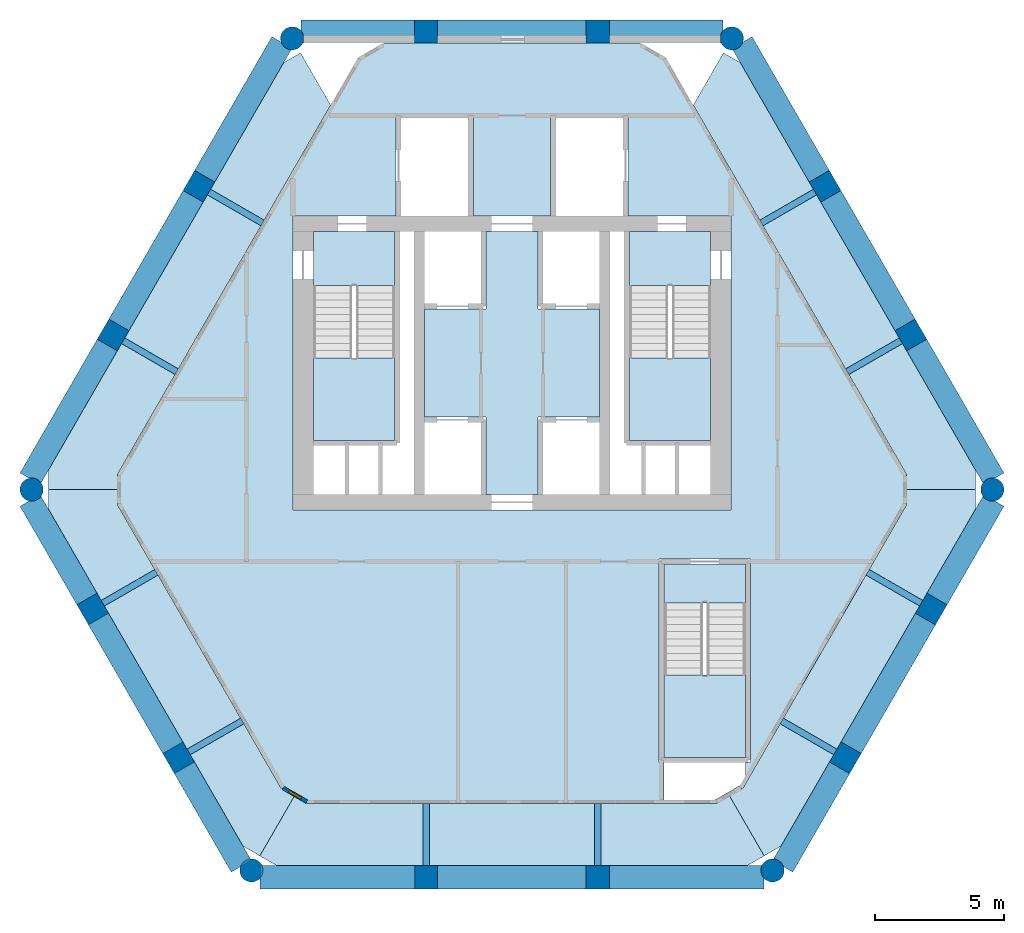
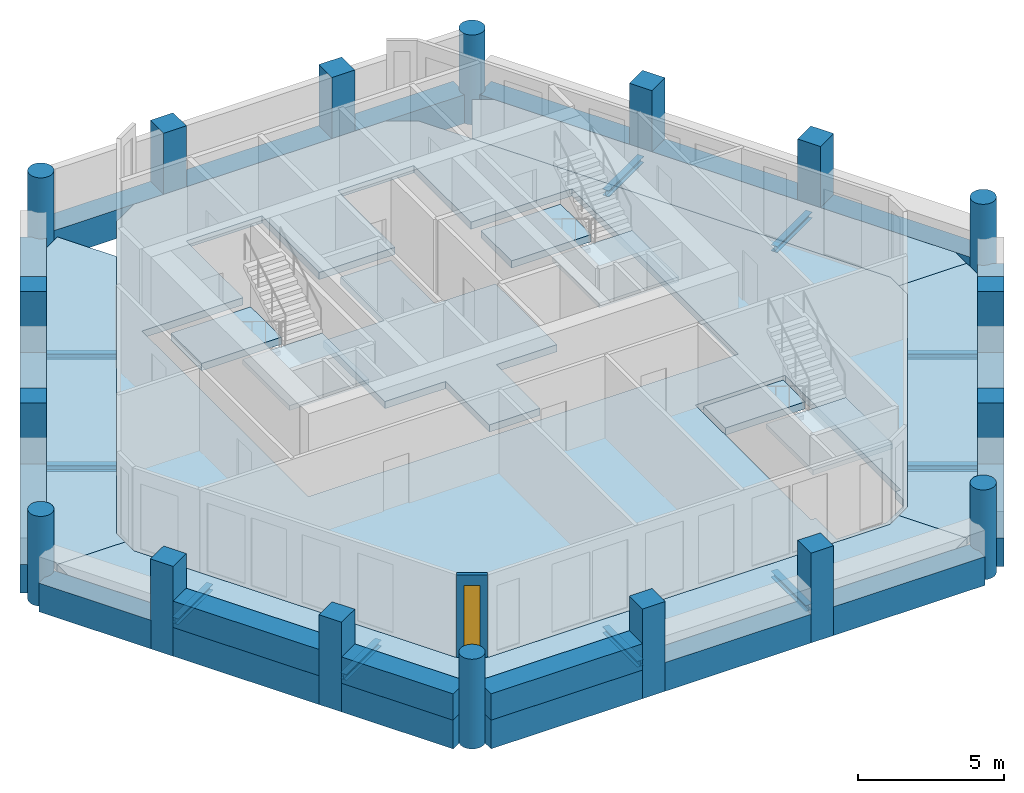
# One storey, part 1 of 6: 28 beams, 18 columns, 13 slabs, 4 walls, 1 window, 1 opening, 3 elements without a shape of their own.
"""IFC4 building model written with IfcOpenShell, lengths in metres."""

import ifcopenshell
import ifcopenshell.guid

model = None  # the IFC model being written
_history = None  # IfcOwnerHistory: only IFC2X3 demands one
_inside = {}  # id of a spatial element -> (the spatial element, [elements in it])
_under = {}  # id of a project, library or spatial element -> (it, [spatial elements below it])
_declared = {}  # id of a project -> (the project, [libraries it declares])
_typed = {}  # id of a type object -> (the type object, [elements of that type])
_made_of = {}  # id of a material, layer set ... -> (it, [elements and type objects made of it])


def new_model(schema):
    """Start an empty IFC model of exactly this schema.

    Asked for "IFC4X3", IfcOpenShell would pick the latest addendum, in which some entities
    have other attributes; the version numbers below select the first issue.
    IFC2X3 requires an IfcOwnerHistory on every rooted entity: one is made here for all.
    """
    global model, _history
    if schema == "IFC4X3":
        model = ifcopenshell.file(schema_version=(4, 3, 0, 0))
    else:
        model = ifcopenshell.file(schema=schema)
    _inside.clear()
    _under.clear()
    _declared.clear()
    _typed.clear()
    _made_of.clear()
    _history = None
    if model.schema == "IFC2X3":
        org = make("IfcOrganization", Name="unknown")
        user = make(
            "IfcPersonAndOrganization",
            ThePerson=make("IfcPerson", FamilyName="unknown"),
            TheOrganization=org,
        )
        app = make(
            "IfcApplication",
            ApplicationDeveloper=org,
            Version="unknown",
            ApplicationFullName="unknown",
            ApplicationIdentifier="unknown",
        )
        _history = make(
            "IfcOwnerHistory",
            OwningUser=user,
            OwningApplication=app,
            ChangeAction="ADDED",
            CreationDate=0,
        )
    return model


def make(cls, **values):
    """One entity of the class cls with the attributes given. An attribute that is None is left unset."""
    return model.create_entity(
        cls, **{name: value for name, value in values.items() if value is not None}
    )


def rooted(cls, **values):
    """An entity with a GlobalId (a new one), such as an element, a storey or a relation."""
    return make(cls, GlobalId=ifcopenshell.guid.new(), OwnerHistory=_history, **values)


def si_unit(unit_type, name, prefix=None):
    """IfcSIUnit, for example si_unit("LENGTHUNIT", "METRE", prefix="MILLI")."""
    return make("IfcSIUnit", UnitType=unit_type, Prefix=prefix, Name=name)


def assignment(units):
    """IfcUnitAssignment: the units of a project."""
    return None if units is None else make("IfcUnitAssignment", Units=units)


def point(xyz):
    """IfcCartesianPoint."""
    return None if xyz is None else make("IfcCartesianPoint", Coordinates=xyz)


def direction(xyz):
    """IfcDirection."""
    return None if xyz is None else make("IfcDirection", DirectionRatios=xyz)


def frame(location, z_axis=None, x_axis=None):
    """IfcAxis2Placement3D, a coordinate frame: its origin and axes. An axis left out is left unset."""
    return make(
        "IfcAxis2Placement3D",
        Location=point(location),
        Axis=direction(z_axis),
        RefDirection=direction(x_axis),
    )


def frame_2d(location, x_axis=None):
    """IfcAxis2Placement2D, a coordinate frame in the plane: its origin and x axis."""
    return make(
        "IfcAxis2Placement2D", Location=point(location), RefDirection=direction(x_axis)
    )


def origin():
    """The frame at (0, 0, 0) with its axes left unset."""
    return frame((0.0, 0.0, 0.0))


def origin_2d():
    """The frame at (0, 0) in the plane with its x axis left unset."""
    return frame_2d((0.0, 0.0))


def place(relative_to, where):
    """IfcLocalPlacement: puts the frame where relative to a parent placement (None: the world)."""
    return make(
        "IfcLocalPlacement", PlacementRelTo=relative_to, RelativePlacement=where
    )


def context(
    kind, dimensions, precision=None, world=None, true_north=None, identifier=None
):
    """IfcGeometricRepresentationContext, for example the 3D "Model" context."""
    return make(
        "IfcGeometricRepresentationContext",
        ContextIdentifier=identifier,
        ContextType=kind,
        CoordinateSpaceDimension=dimensions,
        Precision=precision,
        WorldCoordinateSystem=world,
        TrueNorth=true_north,
    )


def subcontext(parent, identifier, kind, view, scale=None):
    """IfcGeometricRepresentationSubContext, for example "Body" below "Model"."""
    return make(
        "IfcGeometricRepresentationSubContext",
        ContextIdentifier=identifier,
        ContextType=kind,
        ParentContext=parent,
        TargetScale=scale,
        TargetView=view,
    )


def project(units=None, contexts=None):
    """IfcProject with its units and contexts."""
    return rooted(
        "IfcProject",
        Name="project",
        RepresentationContexts=contexts,
        UnitsInContext=assignment(units),
    )


def spatial(cls, under=None, at=None, **own):
    """A site, building, storey or space (cls), placed at a placement, below another one or the project."""
    s = rooted(cls, ObjectPlacement=at, **own)
    if under is not None:
        _under.setdefault(under.id(), (under, []))[1].append(s)
    return s


def polyline(points):
    """IfcPolyline through the points."""
    return make("IfcPolyline", Points=[point(p) for p in points])


def profile(cls, at=None, kind="AREA", **sizes):
    """A parametric profile (cls). Its sizes go by their IFC names, for example OverallWidth=200.0."""
    return make(cls, ProfileType=kind, Position=at, **sizes)


def rectangle(**sizes):
    """IfcRectangleProfileDef."""
    return profile("IfcRectangleProfileDef", **sizes)


def circle(**sizes):
    """IfcCircleProfileDef."""
    return profile("IfcCircleProfileDef", **sizes)


def i_section(**sizes):
    """IfcIShapeProfileDef."""
    return profile("IfcIShapeProfileDef", **sizes)


def outline(outer, holes=None, kind="AREA"):
    """IfcArbitraryClosedProfileDef: a profile drawn as a closed curve; with holes, ...WithVoids."""
    if holes is None:
        return make("IfcArbitraryClosedProfileDef", ProfileType=kind, OuterCurve=outer)
    return make(
        "IfcArbitraryProfileDefWithVoids",
        ProfileType=kind,
        OuterCurve=outer,
        InnerCurves=holes,
    )


def extrude(swept, where, along, depth):
    """IfcExtrudedAreaSolid: the profile swept, set in the frame where, extruded along a direction by depth."""
    return make(
        "IfcExtrudedAreaSolid",
        SweptArea=swept,
        Position=where,
        ExtrudedDirection=direction(along),
        Depth=depth,
    )


def shape(context_of_items, identifier, shape_type, items):
    """IfcShapeRepresentation: the items that make up one representation, for example the "Body"."""
    return make(
        "IfcShapeRepresentation",
        ContextOfItems=context_of_items,
        RepresentationIdentifier=identifier,
        RepresentationType=shape_type,
        Items=items,
    )


def material(Name=None, Category=None):
    """IfcMaterial."""
    return make("IfcMaterial", Name=Name, Category=Category)


def layer(
    of_material, thickness, ventilated=None, Name=None, Category=None, Priority=None
):
    """IfcMaterialLayer: one layer of a wall or slab, of a material (None: an air gap)."""
    return make(
        "IfcMaterialLayer",
        Material=of_material,
        LayerThickness=thickness,
        IsVentilated=ventilated,
        Name=Name,
        Category=Category,
        Priority=Priority,
    )


def layer_set(layers, Name=None):
    """IfcMaterialLayerSet."""
    return make("IfcMaterialLayerSet", MaterialLayers=layers, LayerSetName=Name)


def material_profile(
    of_material, cross_section, Name=None, Category=None, Priority=None
):
    """IfcMaterialProfile: a cross section and its material."""
    return make(
        "IfcMaterialProfile",
        Name=Name,
        Material=of_material,
        Profile=cross_section,
        Priority=Priority,
        Category=Category,
    )


def profile_set(profiles, Name=None, composite=None):
    """IfcMaterialProfileSet."""
    return make(
        "IfcMaterialProfileSet",
        Name=Name,
        MaterialProfiles=profiles,
        CompositeProfile=composite,
    )


def made_of(thing, what):
    """Note that an element or type object is made of a material, layer set ...; save() writes the relation."""
    if what is not None:
        _made_of.setdefault(what.id(), (what, []))[1].append(thing)
    return thing


def type_object(cls, material=None, **own):
    """A type object (cls), such as IfcWallType, which elements share."""
    return made_of(rooted(cls, **own), material)


def element(
    cls,
    number,
    at=None,
    inside=None,
    cuts=None,
    type_object=None,
    material=None,
    context=None,
    identifier="Body",
    shape_type=None,
    held_by="IfcProductDefinitionShape",
    body=None,
    shapes=None,
    **own,
):
    """One element of the class cls, such as IfcWall. Its Tag is "e" and its number.

    at: its placement. inside: the storey or other place that contains it. cuts: it is an
    opening in that element (IfcRelVoidsElement). A single representation is given by context,
    identifier, shape_type and body (its items); several are given by shapes. held_by: the class
    of the entity that holds the representations. save() writes the other relations.
    """
    e = rooted(cls, Tag="e%d" % number, ObjectPlacement=at, **own)
    if body is not None:
        shapes = [shape(context, identifier, shape_type, body)]
    if shapes is not None:
        e.Representation = make(held_by, Representations=shapes)
    if inside is not None:
        _inside.setdefault(inside.id(), (inside, []))[1].append(e)
    if cuts is not None:
        rooted(
            "IfcRelVoidsElement", RelatingBuildingElement=cuts, RelatedOpeningElement=e
        )
    if type_object is not None:
        _typed.setdefault(type_object.id(), (type_object, []))[1].append(e)
    return made_of(e, material)


def fill(opening, filler):
    """IfcRelFillsElement: the door or window that sits in an opening."""
    return rooted(
        "IfcRelFillsElement",
        RelatingOpeningElement=opening,
        RelatedBuildingElement=filler,
    )


def aggregate(whole, parts):
    """IfcRelAggregates: a whole, such as a stair, and the parts it consists of."""
    return rooted("IfcRelAggregates", RelatingObject=whole, RelatedObjects=parts)


def save(model, path):
    """Write the relations noted so far, then the file.

    IfcRelAggregates (storeys below a building ...), IfcRelContainedInSpatialStructure (elements
    in a storey), IfcRelDefinesByType, IfcRelAssociatesMaterial and IfcRelDeclares: one each for
    every whole, place, type object, material and project.
    """
    for whole, parts in _under.values():
        aggregate(whole, parts)
    for where, things in _inside.values():
        rooted(
            "IfcRelContainedInSpatialStructure",
            RelatedElements=things,
            RelatingStructure=where,
        )
    for kind, things in _typed.values():
        rooted("IfcRelDefinesByType", RelatedObjects=things, RelatingType=kind)
    for what, things in _made_of.values():
        rooted("IfcRelAssociatesMaterial", RelatedObjects=things, RelatingMaterial=what)
    for by, libraries in _declared.values():
        rooted("IfcRelDeclares", RelatingContext=by, RelatedDefinitions=libraries)
    model.write(path)


model = new_model("IFC4")

# Units and contexts
model_context = context("Model", 3, precision=1e-05, world=origin(), true_north=direction((0.0, 1.0)))
body_context = subcontext(model_context, "Body", "Model", "MODEL_VIEW")
ifc_project = project(units=[si_unit("LENGTHUNIT", "METRE"), si_unit("AREAUNIT", "SQUARE_METRE"), si_unit("VOLUMEUNIT", "CUBIC_METRE"), si_unit("PLANEANGLEUNIT", "RADIAN"), si_unit("MASSUNIT", "GRAM", prefix="KILO")], contexts=[model_context])

# Site, building, storey
site_placement = place(None, origin())
site = spatial("IfcSite", under=ifc_project, at=site_placement, CompositionType="ELEMENT")
building_placement = place(site_placement, origin())
building = spatial("IfcBuilding", under=site, at=building_placement, Name="Ostrander Bayou Hotel Tower", CompositionType="ELEMENT")
storey_placement = place(building_placement, frame((0.0, 0.0, 263.75)))
storey = spatial("IfcBuildingStorey", under=building, at=storey_placement, Name="L65", CompositionType="ELEMENT", Elevation=263.75)

# Columns
ifc_material_1 = material(Name="Concrete f'c 60 MPa", Category="concrete")
ifc_material_profile_1 = material_profile(ifc_material_1, circle(Radius=0.449951171875, at=origin_2d()))
ifc_profile_set_1 = profile_set([ifc_material_profile_1], Name="Concrete f'c 60 MPa")
column_type_1 = type_object("IfcColumnType", Name="C7 round column 900 mm f'c 60 MPa", PredefinedType="COLUMN", material=ifc_profile_set_1)
for number, where, z_axis, x_axis, name in (
    (1, (-8.525634765625, 16.588623046875, -1.199951171875), (0.0, 0.0, 1.0), (1.0, 0.0, 0.0), "C7 L65 K0"),
    (2, (-18.629150390625, -0.910888671875, -1.199951171875), (0.0, 0.0, 1.0), (1.0, 0.0, 0.0), "C7 L65 K1"),
    (3, (-10.103515625, -15.677734375, -1.199951171875), (0.0, 0.0, 1.0), (1.0, 0.0, 0.0), "C7 L65 K2"),
    (4, (10.103515625, -15.677734375, -1.199951171875), (0.0, 0.0, 1.0), (1.0, 0.0, 0.0), "C7 L65 K3"),
    (5, (18.629150390625, -0.910888671875, -1.199951171875), (0.0, 0.0, 1.0), (1.0, 0.0, 0.0), "C7 L65 K4"),
    (6, (8.525634765625, 16.588623046875, -1.199951171875), (0.0, 0.0, 1.0), (1.0, 0.0, 0.0), "C7 L65 K5"),
):
    element("IfcColumn", number, at=place(storey_placement, frame(where, z_axis=z_axis, x_axis=x_axis)), inside=storey, type_object=column_type_1, Name=name, PredefinedType="COLUMN", context=body_context, shape_type="SweptSolid", body=[
        extrude(circle(Radius=0.449951171875, at=origin_2d()), origin(), (0.0, 0.0, 1.0), 3.75),
    ])
ifc_material_2 = material(Name="Concrete f'c 60 MPa", Category="concrete")
ifc_material_profile_2 = material_profile(ifc_material_2, rectangle(XDim=0.89990234375, YDim=0.89990234375, at=origin_2d()))
ifc_profile_set_2 = profile_set([ifc_material_profile_2], Name="Concrete f'c 60 MPa")
column_type_2 = type_object("IfcColumnType", Name="C8 square column 900 x 900 mm f'c 60 MPa", PredefinedType="COLUMN", material=ifc_profile_set_2)
for number, where, z_axis, x_axis, name in (
    (7, (3.329345703125, 16.85009765625, -1.199951171875), (0.0, 0.0, 1.0), (1.0, 0.0, 0.0), "C8 L65 N1"),
    (8, (-3.329345703125, 16.85009765625, -1.199951171875), (0.0, 0.0, 1.0), (1.0, 0.0, 0.0), "C8 L65 N2"),
    (9, (-12.138916015625, 10.852783203125, -1.199951171875), (0.0, 0.0, 1.0), (0.5, 0.866025403784, 0.0), "C8 L65 NW1"),
    (10, (-15.46826171875, 5.086181640625, -1.199951171875), (0.0, 0.0, 1.0), (0.5, 0.866025403784, 0.0), "C8 L65 NW2"),
    (11, (-16.257080078125, -5.541748046875, -1.199951171875), (0.0, 0.0, 1.0), (-0.5, 0.866025403784, 0.0), "C8 L65 SW1"),
    (12, (-12.927734375, -11.308349609375, -1.199951171875), (0.0, 0.0, 1.0), (-0.5, 0.866025403784, 0.0), "C8 L65 SW2"),
    (13, (-3.329345703125, -15.93896484375, -1.199951171875), (0.0, 0.0, 1.0), (-1.0, 0.0, 0.0), "C8 L65 S1"),
    (14, (3.329345703125, -15.93896484375, -1.199951171875), (0.0, 0.0, 1.0), (-1.0, 0.0, 0.0), "C8 L65 S2"),
    (15, (12.927734375, -11.308349609375, -1.199951171875), (0.0, 0.0, 1.0), (-0.5, -0.866025403784, 0.0), "C8 L65 SE1"),
    (16, (16.257080078125, -5.541748046875, -1.199951171875), (0.0, 0.0, 1.0), (-0.5, -0.866025403784, 0.0), "C8 L65 SE2"),
    (17, (15.46826171875, 5.086181640625, -1.199951171875), (0.0, 0.0, 1.0), (0.5, -0.866025403784, 0.0), "C8 L65 NE1"),
    (18, (12.138916015625, 10.852783203125, -1.199951171875), (0.0, 0.0, 1.0), (0.5, -0.866025403784, 0.0), "C8 L65 NE2"),
):
    element("IfcColumn", number, at=place(storey_placement, frame(where, z_axis=z_axis, x_axis=x_axis)), inside=storey, type_object=column_type_2, Name=name, PredefinedType="COLUMN", context=body_context, shape_type="SweptSolid", body=[
        extrude(rectangle(XDim=0.89990234375, YDim=0.89990234375, at=origin_2d()), origin(), (0.0, 0.0, 1.0), 3.75),
    ])

# Beams
ifc_material_3 = material(Name="Steel ASTM A992", Category="steel")
ifc_material_profile_3 = material_profile(ifc_material_3, i_section(OverallWidth=0.25390625, OverallDepth=0.25341796875, WebThickness=0.008544921875, FlangeThickness=0.01416015625, at=origin_2d()))
ifc_profile_set_3 = profile_set([ifc_material_profile_3], Name="Steel ASTM A992")
beam_type_1 = type_object("IfcBeamType", Name="LB2 loggia bracket W10x49", PredefinedType="BEAM", material=ifc_profile_set_3)
for number, where, z_axis, x_axis, name in (
    (19, (-11.749267578125, 10.627685546875, -0.4267578125), (0.866050077142, -0.499957262057, 0.0), (0.499957262057, 0.866050077142, 0.0), "LB2 L65 NW1"),
    (20, (-15.07861328125, 4.861083984375, -0.4267578125), (0.866050077142, -0.499957262057, 0.0), (0.499957262057, 0.866050077142, 0.0), "LB2 L65 NW2"),
):
    element("IfcBeam", number, at=place(storey_placement, frame(where, z_axis=z_axis, x_axis=x_axis)), inside=storey, type_object=beam_type_1, Name=name, PredefinedType="BEAM", context=body_context, shape_type="SweptSolid", body=[
        extrude(i_section(OverallWidth=0.25390625, OverallDepth=0.25341796875, WebThickness=0.008544921875, FlangeThickness=0.01416015625, at=origin_2d()), origin(), (0.0, 0.0, 1.0), 2.400146484375),
    ])
for number, where, z_axis, x_axis, name in (
    (21, (-15.867431640625, -5.316650390625, -0.4267578125), (0.866024647952, 0.500001309137, 0.0), (-0.500001309137, 0.866024647952, 0.0), "LB2 L65 SW1"),
    (22, (-12.5380859375, -11.083251953125, -0.4267578125), (0.866024647952, 0.500001309137, 0.0), (-0.500001309137, 0.866024647952, 0.0), "LB2 L65 SW2"),
    (23, (-3.329345703125, -15.489013671875, -0.4267578125), (0.0, 1.0, 0.0), (-1.0, 0.0, 0.0), "LB2 L65 S1"),
    (24, (3.329345703125, -15.489013671875, -0.4267578125), (0.0, 1.0, 0.0), (-1.0, 0.0, 0.0), "LB2 L65 S2"),
    (25, (12.5380859375, -11.083251953125, -0.4267578125), (-0.866024647952, 0.500001309137, 0.0), (-0.500001309137, -0.866024647952, 0.0), "LB2 L65 SE1"),
    (26, (15.867431640625, -5.316650390625, -0.4267578125), (-0.866024647952, 0.500001309137, 0.0), (-0.500001309137, -0.866024647952, 0.0), "LB2 L65 SE2"),
):
    element("IfcBeam", number, at=place(storey_placement, frame(where, z_axis=z_axis, x_axis=x_axis)), inside=storey, type_object=beam_type_1, Name=name, PredefinedType="BEAM", context=body_context, shape_type="SweptSolid", body=[
        extrude(i_section(OverallWidth=0.25390625, OverallDepth=0.25341796875, WebThickness=0.008544921875, FlangeThickness=0.01416015625, at=origin_2d()), origin(), (0.0, 0.0, 1.0), 2.39990234375),
    ])
for number, where, z_axis, x_axis, name in (
    (27, (15.07861328125, 4.861083984375, -0.4267578125), (-0.866050077142, -0.499957262057, 0.0), (0.499957262057, -0.866050077142, 0.0), "LB2 L65 NE1"),
    (28, (11.749267578125, 10.627685546875, -0.4267578125), (-0.866050077142, -0.499957262057, 0.0), (0.499957262057, -0.866050077142, 0.0), "LB2 L65 NE2"),
):
    element("IfcBeam", number, at=place(storey_placement, frame(where, z_axis=z_axis, x_axis=x_axis)), inside=storey, type_object=beam_type_1, Name=name, PredefinedType="BEAM", context=body_context, shape_type="SweptSolid", body=[
        extrude(i_section(OverallWidth=0.25390625, OverallDepth=0.25341796875, WebThickness=0.008544921875, FlangeThickness=0.01416015625, at=origin_2d()), origin(), (0.0, 0.0, 1.0), 2.400146484375),
    ])
ifc_material_4 = material(Name="Concrete f'c 60 MPa", Category="concrete")
ifc_material_profile_4 = material_profile(ifc_material_4, rectangle(XDim=0.89990234375, YDim=1.199951171875, at=origin_2d()))
ifc_profile_set_4 = profile_set([ifc_material_profile_4], Name="Concrete f'c 60 MPa")
beam_type_2 = type_object("IfcBeamType", Name="SP4 spandrel beam 900 x 1200 mm f'c 60 MPa", PredefinedType="SPANDREL", material=ifc_profile_set_4)
beam_1_placement = place(storey_placement, frame((8.189208984375, 16.85009765625, -0.60009765625), z_axis=(-1.0, 0.0, 0.0), x_axis=(0.0, -1.0, 0.0)))
element("IfcBeam", 29, at=beam_1_placement, inside=storey, type_object=beam_type_2, Name="SP4 L65 N-1", PredefinedType="SPANDREL", context=body_context, shape_type="SweptSolid", body=[
    extrude(rectangle(XDim=0.89990234375, YDim=1.199951171875, at=origin_2d()), origin(), (0.0, 0.0, 1.0), 4.439697265625),
])
beam_2_placement = place(storey_placement, frame((2.909423828125, 16.85009765625, -0.60009765625), z_axis=(-1.0, 0.0, 0.0), x_axis=(0.0, -1.0, 0.0)))
element("IfcBeam", 30, at=beam_2_placement, inside=storey, type_object=beam_type_2, Name="SP4 L65 N-2", PredefinedType="SPANDREL", context=body_context, shape_type="SweptSolid", body=[
    extrude(rectangle(XDim=0.89990234375, YDim=1.199951171875, at=origin_2d()), origin(), (0.0, 0.0, 1.0), 5.81884765625),
])
beam_3_placement = place(storey_placement, frame((-3.74951171875, 16.85009765625, -0.60009765625), z_axis=(-1.0, 0.0, 0.0), x_axis=(0.0, -1.0, 0.0)))
element("IfcBeam", 31, at=beam_3_placement, inside=storey, type_object=beam_type_2, Name="SP4 L65 N-3", PredefinedType="SPANDREL", context=body_context, shape_type="SweptSolid", body=[
    extrude(rectangle(XDim=0.89990234375, YDim=1.199951171875, at=origin_2d()), origin(), (0.0, 0.0, 1.0), 4.439697265625),
])
beam_4_placement = place(storey_placement, frame((-8.919921875, 16.427978515625, -0.60009765625), z_axis=(-0.500026811154, -0.866009923804, 0.0), x_axis=(0.866009923804, -0.500026811154, 0.0)))
element("IfcBeam", 32, at=beam_4_placement, inside=storey, type_object=beam_type_2, Name="SP4 L65 NW-1", PredefinedType="SPANDREL", context=body_context, shape_type="SweptSolid", body=[
    extrude(rectangle(XDim=0.89990234375, YDim=1.199951171875, at=origin_2d()), origin(), (0.0, 0.0, 1.0), 6.017822265625),
])
beam_5_placement = place(storey_placement, frame((-12.348876953125, 10.489013671875, -0.60009765625), z_axis=(-0.500015433515, -0.866016493057, 0.0), x_axis=(0.866016493057, -0.500015433515, 0.0)))
element("IfcBeam", 33, at=beam_5_placement, inside=storey, type_object=beam_type_2, Name="SP4 L65 NW-2", PredefinedType="SPANDREL", context=body_context, shape_type="SweptSolid", body=[
    extrude(rectangle(XDim=0.89990234375, YDim=1.199951171875, at=origin_2d()), origin(), (0.0, 0.0, 1.0), 5.818603515625),
])
beam_6_placement = place(storey_placement, frame((-15.67822265625, 4.722412109375, -0.60009765625), z_axis=(-0.499996383721, -0.866027491634, 0.0), x_axis=(0.866027491634, -0.499996383721, 0.0)))
element("IfcBeam", 34, at=beam_6_placement, inside=storey, type_object=beam_type_2, Name="SP4 L65 NW-3", PredefinedType="SPANDREL", context=body_context, shape_type="SweptSolid", body=[
    extrude(rectangle(XDim=0.89990234375, YDim=1.199951171875, at=origin_2d()), origin(), (0.0, 0.0, 1.0), 6.017578125),
])
beam_7_placement = place(storey_placement, frame((-18.68701171875, -1.3330078125, -0.60009765625), z_axis=(0.499971567444, -0.866041818706, 0.0), x_axis=(0.866041818706, 0.499971567444, 0.0)))
element("IfcBeam", 35, at=beam_7_placement, inside=storey, type_object=beam_type_2, Name="SP4 L65 SW-1", PredefinedType="SPANDREL", context=body_context, shape_type="SweptSolid", body=[
    extrude(rectangle(XDim=0.89990234375, YDim=1.199951171875, at=origin_2d()), origin(), (0.0, 0.0, 1.0), 4.439697265625),
])
beam_8_placement = place(storey_placement, frame((-16.047119140625, -5.905517578125, -0.60009765625), z_axis=(0.500015433515, -0.866016493057, 0.0), x_axis=(0.866016493057, 0.500015433515, 0.0)))
element("IfcBeam", 36, at=beam_8_placement, inside=storey, type_object=beam_type_2, Name="SP4 L65 SW-2", PredefinedType="SPANDREL", context=body_context, shape_type="SweptSolid", body=[
    extrude(rectangle(XDim=0.89990234375, YDim=1.199951171875, at=origin_2d()), origin(), (0.0, 0.0, 1.0), 5.818603515625),
])
beam_9_placement = place(storey_placement, frame((-12.7177734375, -11.672119140625, -0.60009765625), z_axis=(0.500012810012, -0.866018007794, 0.0), x_axis=(0.866018007794, 0.500012810012, 0.0)))
element("IfcBeam", 37, at=beam_9_placement, inside=storey, type_object=beam_type_2, Name="SP4 L65 SW-3", PredefinedType="SPANDREL", context=body_context, shape_type="SweptSolid", body=[
    extrude(rectangle(XDim=0.89990234375, YDim=1.199951171875, at=origin_2d()), origin(), (0.0, 0.0, 1.0), 4.43994140625),
])
beam_10_placement = place(storey_placement, frame((-9.76708984375, -15.93896484375, -0.60009765625), z_axis=(1.0, 0.0, 0.0), x_axis=(0.0, 1.0, 0.0)))
element("IfcBeam", 38, at=beam_10_placement, inside=storey, type_object=beam_type_2, Name="SP4 L65 S-1", PredefinedType="SPANDREL", context=body_context, shape_type="SweptSolid", body=[
    extrude(rectangle(XDim=0.89990234375, YDim=1.199951171875, at=origin_2d()), origin(), (0.0, 0.0, 1.0), 6.017578125),
])
beam_11_placement = place(storey_placement, frame((-2.909423828125, -15.93896484375, -0.60009765625), z_axis=(1.0, 0.0, 0.0), x_axis=(0.0, 1.0, 0.0)))
element("IfcBeam", 39, at=beam_11_placement, inside=storey, type_object=beam_type_2, Name="SP4 L65 S-2", PredefinedType="SPANDREL", context=body_context, shape_type="SweptSolid", body=[
    extrude(rectangle(XDim=0.89990234375, YDim=1.199951171875, at=origin_2d()), origin(), (0.0, 0.0, 1.0), 5.81884765625),
])
beam_12_placement = place(storey_placement, frame((3.74951171875, -15.93896484375, -0.60009765625), z_axis=(1.0, 0.0, 0.0), x_axis=(0.0, 1.0, 0.0)))
element("IfcBeam", 40, at=beam_12_placement, inside=storey, type_object=beam_type_2, Name="SP4 L65 S-3", PredefinedType="SPANDREL", context=body_context, shape_type="SweptSolid", body=[
    extrude(rectangle(XDim=0.89990234375, YDim=1.199951171875, at=origin_2d()), origin(), (0.0, 0.0, 1.0), 6.017578125),
])
beam_13_placement = place(storey_placement, frame((10.497802734375, -15.51708984375, -0.60009765625), z_axis=(0.500012810012, 0.866018007794, 0.0), x_axis=(-0.866018007794, 0.500012810012, 0.0)))
element("IfcBeam", 41, at=beam_13_placement, inside=storey, type_object=beam_type_2, Name="SP4 L65 SE-1", PredefinedType="SPANDREL", context=body_context, shape_type="SweptSolid", body=[
    extrude(rectangle(XDim=0.89990234375, YDim=1.199951171875, at=origin_2d()), origin(), (0.0, 0.0, 1.0), 4.43994140625),
])
beam_14_placement = place(storey_placement, frame((13.1376953125, -10.944580078125, -0.60009765625), z_axis=(0.500015433515, 0.866016493057, 0.0), x_axis=(-0.866016493057, 0.500015433515, 0.0)))
element("IfcBeam", 42, at=beam_14_placement, inside=storey, type_object=beam_type_2, Name="SP4 L65 SE-2", PredefinedType="SPANDREL", context=body_context, shape_type="SweptSolid", body=[
    extrude(rectangle(XDim=0.89990234375, YDim=1.199951171875, at=origin_2d()), origin(), (0.0, 0.0, 1.0), 5.818603515625),
])
beam_15_placement = place(storey_placement, frame((16.46728515625, -5.177978515625, -0.60009765625), z_axis=(0.499971567444, 0.866041818706, 0.0), x_axis=(-0.866041818706, 0.499971567444, 0.0)))
element("IfcBeam", 43, at=beam_15_placement, inside=storey, type_object=beam_type_2, Name="SP4 L65 SE-3", PredefinedType="SPANDREL", context=body_context, shape_type="SweptSolid", body=[
    extrude(rectangle(XDim=0.89990234375, YDim=1.199951171875, at=origin_2d()), origin(), (0.0, 0.0, 1.0), 4.439697265625),
])
beam_16_placement = place(storey_placement, frame((18.68701171875, -0.489013671875, -0.60009765625), z_axis=(-0.499996383721, 0.866027491634, 0.0), x_axis=(-0.866027491634, -0.499996383721, 0.0)))
element("IfcBeam", 44, at=beam_16_placement, inside=storey, type_object=beam_type_2, Name="SP4 L65 NE-1", PredefinedType="SPANDREL", context=body_context, shape_type="SweptSolid", body=[
    extrude(rectangle(XDim=0.89990234375, YDim=1.199951171875, at=origin_2d()), origin(), (0.0, 0.0, 1.0), 6.017578125),
])
beam_17_placement = place(storey_placement, frame((15.25830078125, 5.449951171875, -0.60009765625), z_axis=(-0.500015433515, 0.866016493057, 0.0), x_axis=(-0.866016493057, -0.500015433515, 0.0)))
element("IfcBeam", 45, at=beam_17_placement, inside=storey, type_object=beam_type_2, Name="SP4 L65 NE-2", PredefinedType="SPANDREL", context=body_context, shape_type="SweptSolid", body=[
    extrude(rectangle(XDim=0.89990234375, YDim=1.199951171875, at=origin_2d()), origin(), (0.0, 0.0, 1.0), 5.818603515625),
])
beam_18_placement = place(storey_placement, frame((11.928955078125, 11.216552734375, -0.60009765625), z_axis=(-0.500026811154, 0.866009923804, 0.0), x_axis=(-0.866009923804, -0.500026811154, 0.0)))
element("IfcBeam", 46, at=beam_18_placement, inside=storey, type_object=beam_type_2, Name="SP4 L65 NE-3", PredefinedType="SPANDREL", context=body_context, shape_type="SweptSolid", body=[
    extrude(rectangle(XDim=0.89990234375, YDim=1.199951171875, at=origin_2d()), origin(), (0.0, 0.0, 1.0), 6.017822265625),
])

# Slabs
ifc_material_5 = material(Name="Concrete f'c 40 MPa", Category="concrete")
ifc_layer_1 = layer(ifc_material_5, 0.300048828125)
ifc_layer_set_1 = layer_set([ifc_layer_1], Name="SL1 floor slab 300 mm f'c 40 MPa")
slab_type_1 = type_object("IfcSlabType", Name="SL1 floor slab 300 mm f'c 40 MPa", PredefinedType="FLOOR", material=ifc_layer_set_1)
slab_1_placement = place(storey_placement, frame((0.0, 0.0, -0.300048828125)))
element("IfcSlab", 47, at=slab_1_placement, inside=storey, type_object=slab_type_1, Name="SL1 L65 1", PredefinedType="FLOOR", context=body_context, shape_type="SweptSolid", body=[
    extrude(outline(polyline([(-2.909423828125, 16.39990234375), (2.909423828125, 16.39990234375), (3.74951171875, 16.39990234375), (4.952392578125, 16.39990234375), (5.99169921875, 15.800048828125), (15.29345703125, -0.31103515625), (15.29345703125, -1.510986328125), (8.955322265625, -12.489013671875), (7.916015625, -13.089111328125), (-7.916015625, -13.089111328125), (-8.955322265625, -12.489013671875), (-15.29345703125, -1.510986328125), (-15.29345703125, -0.31103515625), (-5.99169921875, 15.800048828125), (-4.952392578125, 16.39990234375), (-3.74951171875, 16.39990234375), (-2.909423828125, 16.39990234375)]), holes=[polyline([(9.050048828125, -12.02490234375), (9.050048828125, -11.5), (9.25, -11.5), (9.25, -3.60009765625), (5.699951171875, -3.60009765625), (5.699951171875, -11.5), (5.89990234375, -11.5), (5.89990234375, -12.93896484375), (7.8759765625, -12.93896484375), (8.845458984375, -12.379150390625), (9.050048828125, -12.02490234375)]), polyline([(-8.5, -1.699951171875), (8.5, -1.699951171875), (8.5, 9.699951171875), (4.5, 9.699951171875), (4.5, 13.60009765625), (1.5, 13.60009765625), (1.5, 9.699951171875), (-1.5, 9.699951171875), (-1.5, 13.60009765625), (-4.5, 13.60009765625), (-4.5, 9.699951171875), (-8.5, 9.699951171875), (-8.5, -1.699951171875)])]), origin(), (0.0, 0.0, 1.0), 0.300048828125),
])
slab_2_placement = place(storey_placement, frame((0.0, 0.0, -0.300048828125)))
element("IfcSlab", 48, at=slab_2_placement, inside=storey, type_object=slab_type_1, Name="cslab:L65:001", PredefinedType="FLOOR", context=body_context, shape_type="SweptSolid", body=[
    extrude(outline(polyline([(-3.39990234375, 6.10009765625), (-1.0, 6.10009765625), (-1.0, 9.10009765625), (1.0, 9.10009765625), (1.0, 6.10009765625), (3.39990234375, 6.10009765625), (3.39990234375, 1.89990234375), (1.0, 1.89990234375), (1.0, -1.10009765625), (-1.0, -1.10009765625), (-1.0, 1.89990234375), (-3.39990234375, 1.89990234375), (-3.39990234375, 6.10009765625)])), origin(), (0.0, 0.0, 1.0), 0.300048828125),
])
slab_3_placement = place(storey_placement, frame((0.0, 0.0, -0.300048828125)))
element("IfcSlab", 49, at=slab_3_placement, inside=storey, type_object=slab_type_1, Name="cslab:L65:002", PredefinedType="FLOOR", context=body_context, shape_type="SweptSolid", body=[
    extrude(outline(polyline([(-4.550048828125, 7.0), (-4.550048828125, 9.10009765625), (-7.699951171875, 9.10009765625), (-7.699951171875, 7.0), (-4.550048828125, 7.0)])), origin(), (0.0, 0.0, 1.0), 0.300048828125),
])
slab_4_placement = place(storey_placement, frame((0.0, 0.0, -0.300048828125)))
element("IfcSlab", 50, at=slab_4_placement, inside=storey, type_object=slab_type_1, Name="cslab:L65:003", PredefinedType="FLOOR", context=body_context, shape_type="SweptSolid", body=[
    extrude(outline(polyline([(7.699951171875, 7.0), (7.699951171875, 9.10009765625), (4.550048828125, 9.10009765625), (4.550048828125, 7.0), (7.699951171875, 7.0)])), origin(), (0.0, 0.0, 1.0), 0.300048828125),
])
slab_5_placement = place(storey_placement, frame((0.0, 0.0, -0.300048828125)))
element("IfcSlab", 51, at=slab_5_placement, inside=storey, type_object=slab_type_1, Name="cslab:L65:004", PredefinedType="FLOOR", context=body_context, shape_type="SweptSolid", body=[
    extrude(outline(polyline([(9.050048828125, -5.300048828125), (9.050048828125, -3.800048828125), (5.89990234375, -3.800048828125), (5.89990234375, -5.300048828125), (9.050048828125, -5.300048828125)])), origin(), (0.0, 0.0, 1.0), 0.300048828125),
])
ifc_material_6 = material(Name="Concrete f'c 40 MPa", Category="concrete")
ifc_layer_2 = layer(ifc_material_6, 0.300048828125)
ifc_layer_set_2 = layer_set([ifc_layer_2], Name="SL4 loggia slab 300 mm f'c 40 MPa")
slab_type_2 = type_object("IfcSlabType", Name="SL4 loggia slab 300 mm f'c 40 MPa", PredefinedType="FLOOR", material=ifc_layer_set_2)
slab_6_placement = place(storey_placement, frame((0.0, 0.0, -0.300048828125)))
element("IfcSlab", 52, at=slab_6_placement, inside=storey, type_object=slab_type_2, Name="SL4 LOGGIA L65 NW 1", PredefinedType="FLOOR", context=body_context, shape_type="SweptSolid", body=[
    extrude(outline(polyline([(-17.97802734375, -0.910888671875), (-17.97802734375, -0.160888671875), (-10.10205078125, 13.48095703125), (-9.174072265625, 15.088134765625), (-8.849609375, 15.64990234375), (-8.2001953125, 16.02490234375), (-7.031005859375, 14.0), (-15.29345703125, -0.31103515625), (-15.29345703125, -0.910888671875), (-17.97802734375, -0.910888671875)])), origin(), (0.0, 0.0, 1.0), 0.300048828125),
])
slab_7_placement = place(storey_placement, frame((0.0, 0.0, -0.300048828125)))
element("IfcSlab", 53, at=slab_7_placement, inside=storey, type_object=slab_type_2, Name="SL4 LOGGIA L65 SW 1", PredefinedType="FLOOR", context=body_context, shape_type="SweptSolid", body=[
    extrude(outline(polyline([(-8.435791015625, -12.7890625), (-9.778076171875, -15.114013671875), (-10.427490234375, -14.739013671875), (-16.077392578125, -4.952880859375), (-17.97802734375, -1.660888671875), (-17.97802734375, -0.910888671875), (-15.29345703125, -0.910888671875), (-15.29345703125, -1.510986328125), (-8.955322265625, -12.489013671875), (-8.435791015625, -12.7890625)])), origin(), (0.0, 0.0, 1.0), 0.300048828125),
])
slab_8_placement = place(storey_placement, frame((0.0, 0.0, -0.300048828125)))
element("IfcSlab", 54, at=slab_8_placement, inside=storey, type_object=slab_type_2, Name="SL4 LOGGIA L65 S 1", PredefinedType="FLOOR", context=body_context, shape_type="SweptSolid", body=[
    extrude(outline(polyline([(8.435791015625, -12.7890625), (9.778076171875, -15.114013671875), (9.12841796875, -15.489013671875), (-9.12841796875, -15.489013671875), (-9.778076171875, -15.114013671875), (-8.435791015625, -12.7890625), (-7.916015625, -13.089111328125), (7.916015625, -13.089111328125), (8.435791015625, -12.7890625)])), origin(), (0.0, 0.0, 1.0), 0.300048828125),
])
slab_9_placement = place(storey_placement, frame((0.0, 0.0, -0.300048828125)))
element("IfcSlab", 55, at=slab_9_placement, inside=storey, type_object=slab_type_2, Name="SL4 LOGGIA L65 SE 1", PredefinedType="FLOOR", context=body_context, shape_type="SweptSolid", body=[
    extrude(outline(polyline([(15.29345703125, -0.910888671875), (17.97802734375, -0.910888671875), (17.97802734375, -1.660888671875), (16.077392578125, -4.952880859375), (15.657470703125, -5.680419921875), (12.748046875, -10.719482421875), (12.328125, -11.447021484375), (10.427490234375, -14.739013671875), (9.778076171875, -15.114013671875), (8.435791015625, -12.7890625), (8.955322265625, -12.489013671875), (15.29345703125, -1.510986328125), (15.29345703125, -0.910888671875)])), origin(), (0.0, 0.0, 1.0), 0.300048828125),
])
slab_10_placement = place(storey_placement, frame((0.0, 0.0, -0.300048828125)))
element("IfcSlab", 56, at=slab_10_placement, inside=storey, type_object=slab_type_2, Name="SL4 LOGGIA L65 NE 1", PredefinedType="FLOOR", context=body_context, shape_type="SweptSolid", body=[
    extrude(outline(polyline([(8.2001953125, 16.02490234375), (8.849609375, 15.64990234375), (17.97802734375, -0.160888671875), (17.97802734375, -0.910888671875), (15.29345703125, -0.910888671875), (15.29345703125, -0.31103515625), (7.031005859375, 14.0), (8.2001953125, 16.02490234375)])), origin(), (0.0, 0.0, 1.0), 0.300048828125),
])

# Stair, slab
ifc_material_7 = material(Name="Concrete f'c 45 MPa", Category="concrete")
stair_type = type_object("IfcStairType", Name="ST1 exit stair 1500 mm f'c 45 MPa", PredefinedType="HALF_TURN_STAIR", material=ifc_material_7)
stair_1_placement = place(storey_placement, origin())
stair_1 = element("IfcStair", 57, at=stair_1_placement, inside=storey, type_object=stair_type, Name="L65 exit stair A", PredefinedType="HALF_TURN_STAIR")
ifc_material_8 = material(Name="Concrete f'c 45 MPa", Category="concrete")
ifc_layer_3 = layer(ifc_material_8, 0.199951171875)
ifc_layer_set_3 = layer_set([ifc_layer_3], Name="SL8 stair landing 200 mm f'c 45 MPa")
slab_type_3 = type_object("IfcSlabType", Name="SL8 stair landing 200 mm f'c 45 MPa", PredefinedType="LANDING", material=ifc_layer_set_3)
slab_11_placement = place(storey_placement, frame((0.0, 0.0, 1.675048828125)))
slab_11 = element("IfcSlab", 58, at=slab_11_placement, type_object=slab_type_3, Name="STA landing 1", PredefinedType="LANDING", context=body_context, shape_type="SweptSolid", body=[
    extrude(outline(polyline([(-7.699951171875, 4.199951171875), (-7.699951171875, 1.0), (-4.550048828125, 1.0), (-4.550048828125, 4.199951171875), (-7.699951171875, 4.199951171875)])), origin(), (0.0, 0.0, 1.0), 0.199951171875),
])
aggregate(stair_1, [slab_11])

stair_2_placement = place(storey_placement, origin())
stair_2 = element("IfcStair", 59, at=stair_2_placement, inside=storey, type_object=stair_type, Name="L65 exit stair B", PredefinedType="HALF_TURN_STAIR")
slab_12_placement = place(storey_placement, frame((0.0, 0.0, 1.675048828125)))
slab_12 = element("IfcSlab", 60, at=slab_12_placement, type_object=slab_type_3, Name="STB landing 1", PredefinedType="LANDING", context=body_context, shape_type="SweptSolid", body=[
    extrude(outline(polyline([(4.550048828125, 4.199951171875), (4.550048828125, 1.0), (7.699951171875, 1.0), (7.699951171875, 4.199951171875), (4.550048828125, 4.199951171875)])), origin(), (0.0, 0.0, 1.0), 0.199951171875),
])
aggregate(stair_2, [slab_12])

stair_3_placement = place(storey_placement, origin())
stair_3 = element("IfcStair", 61, at=stair_3_placement, inside=storey, type_object=stair_type, Name="L65 exit stair C", PredefinedType="HALF_TURN_STAIR")
slab_13_placement = place(storey_placement, frame((0.0, 0.0, 1.675048828125)))
slab_13 = element("IfcSlab", 62, at=slab_13_placement, type_object=slab_type_3, Name="STC landing 1", PredefinedType="LANDING", context=body_context, shape_type="SweptSolid", body=[
    extrude(outline(polyline([(5.89990234375, -8.10009765625), (5.89990234375, -11.300048828125), (9.050048828125, -11.300048828125), (9.050048828125, -8.10009765625), (5.89990234375, -8.10009765625)])), origin(), (0.0, 0.0, 1.0), 0.199951171875),
])
aggregate(stair_3, [slab_13])

# Wall, opening, window
ifc_material_9 = material(Name="Aluminium framed insulated wall", Category="aluminium")
ifc_layer_4 = layer(ifc_material_9, 0.14990234375)
ifc_layer_set_4 = layer_set([ifc_layer_4], Name="GW1 glass-line wall 150 mm")
wall_type_1 = type_object("IfcWallType", Name="GW1 glass-line wall 150 mm", PredefinedType="SOLIDWALL", material=ifc_layer_set_4)
wall_1_placement = place(storey_placement, frame((-8.873046875, -12.4814453125, 0.0), z_axis=(0.0, 0.0, 1.0), x_axis=(0.866048165231, -0.499960573946, 0.0)))
wall_1 = element("IfcWall", 63, at=wall_1_placement, inside=storey, type_object=wall_type_1, Name="GW1 L65 corner 3", PredefinedType="SOLIDWALL", context=body_context, shape_type="SweptSolid", body=[
    extrude(rectangle(XDim=1.06494140625, YDim=0.14990234375, at=frame_2d((0.532470703125, 0.0))), origin(), (0.0, 0.0, 1.0), 3.449951171875),
])
opening_placement = place(wall_1_placement, frame((0.257568359375, 0.0, 0.14990234375)))
opening = element("IfcOpeningElement", 64, at=opening_placement, cuts=wall_1, Name="Opening W19", PredefinedType="OPENING", context=body_context, shape_type="SweptSolid", body=[
    extrude(rectangle(XDim=0.550048828125, YDim=2.85009765625, at=frame_2d((0.27490234375, 1.425048828125))), frame((0.0, 0.074951171875, 0.0), z_axis=(0.0, -1.0, 0.0), x_axis=(1.0, 0.0, 0.0)), (0.0, 0.0, 1.0), 0.14990234375),
])
ifc_material_10 = material(Name="Aluminium and clear glass", Category="aluminium")
window_type = type_object("IfcWindowType", Name="W19 corner window 550 mm", PartitioningType="SINGLE_PANEL", PredefinedType="WINDOW", material=ifc_material_10)
window_placement = place(opening_placement, origin())
window = element("IfcWindow", 65, at=window_placement, inside=storey, type_object=window_type, Name="W19 L65 corner 3", OverallHeight=2.85009765625, OverallWidth=0.550048828125, PartitioningType="SINGLE_PANEL", PredefinedType="WINDOW", context=body_context, shape_type="SweptSolid", body=[
    extrude(rectangle(XDim=0.550048828125, YDim=2.85009765625, at=frame_2d((0.27490234375, 1.425048828125))), frame((0.0, 0.030029296875, 0.0), z_axis=(0.0, -1.0, 0.0), x_axis=(1.0, 0.0, 0.0)), (0.0, 0.0, 1.0), 0.06005859375),
])
fill(opening, window)

# Walls
ifc_material_11 = material(Name="Concrete f'c 40 MPa", Category="concrete")
ifc_layer_5 = layer(ifc_material_11, 0.89990234375)
ifc_layer_set_5 = layer_set([ifc_layer_5], Name="PA1 stone-faced parapet 900 mm")
wall_type_2 = type_object("IfcWallType", Name="PA1 stone-faced parapet 900 mm", PredefinedType="PARAPET", material=ifc_layer_set_5)
wall_2_placement = place(storey_placement, frame((-9.76708984375, -15.93896484375, 0.0), z_axis=(0.0, 0.0, 1.0), x_axis=(1.0, 0.0, 0.0)))
element("IfcWall", 66, at=wall_2_placement, inside=storey, type_object=wall_type_2, Name="PA1 L65 S-1", PredefinedType="PARAPET", context=body_context, shape_type="SweptSolid", body=[
    extrude(rectangle(XDim=6.017578125, YDim=0.89990234375, at=frame_2d((3.0087890625, 0.0))), origin(), (0.0, 0.0, 1.0), 1.10009765625),
])
ifc_material_12 = material(Name="Limestone masonry", Category="masonry")
ifc_layer_6 = layer(ifc_material_12, 0.89990234375)
ifc_layer_set_6 = layer_set([ifc_layer_6], Name="PA2 limestone parapet 900 mm")
wall_type_3 = type_object("IfcWallType", Name="PA2 limestone parapet 900 mm", PredefinedType="PARAPET", material=ifc_layer_set_6)
wall_3_placement = place(storey_placement, frame((-16.047119140625, -5.905517578125, 0.0), z_axis=(0.0, 0.0, 1.0), x_axis=(0.500015433515, -0.866016493057, 0.0)))
element("IfcWall", 67, at=wall_3_placement, inside=storey, type_object=wall_type_3, Name="PA2 L65 SW-2", PredefinedType="PARAPET", context=body_context, shape_type="SweptSolid", body=[
    extrude(rectangle(XDim=5.818603515625, YDim=0.89990234375, at=frame_2d((2.9091796875, 0.0))), origin(), (0.0, 0.0, 1.0), 1.10009765625),
])
wall_4_placement = place(storey_placement, frame((-12.7177734375, -11.672119140625, 0.0), z_axis=(0.0, 0.0, 1.0), x_axis=(0.500012810012, -0.866018007794, 0.0)))
element("IfcWall", 68, at=wall_4_placement, inside=storey, type_object=wall_type_3, Name="PA2 L65 SW-3", PredefinedType="PARAPET", context=body_context, shape_type="SweptSolid", body=[
    extrude(rectangle(XDim=4.43994140625, YDim=0.89990234375, at=frame_2d((2.219970703125, 0.0))), origin(), (0.0, 0.0, 1.0), 1.10009765625),
])

save(model, "model.ifc")
